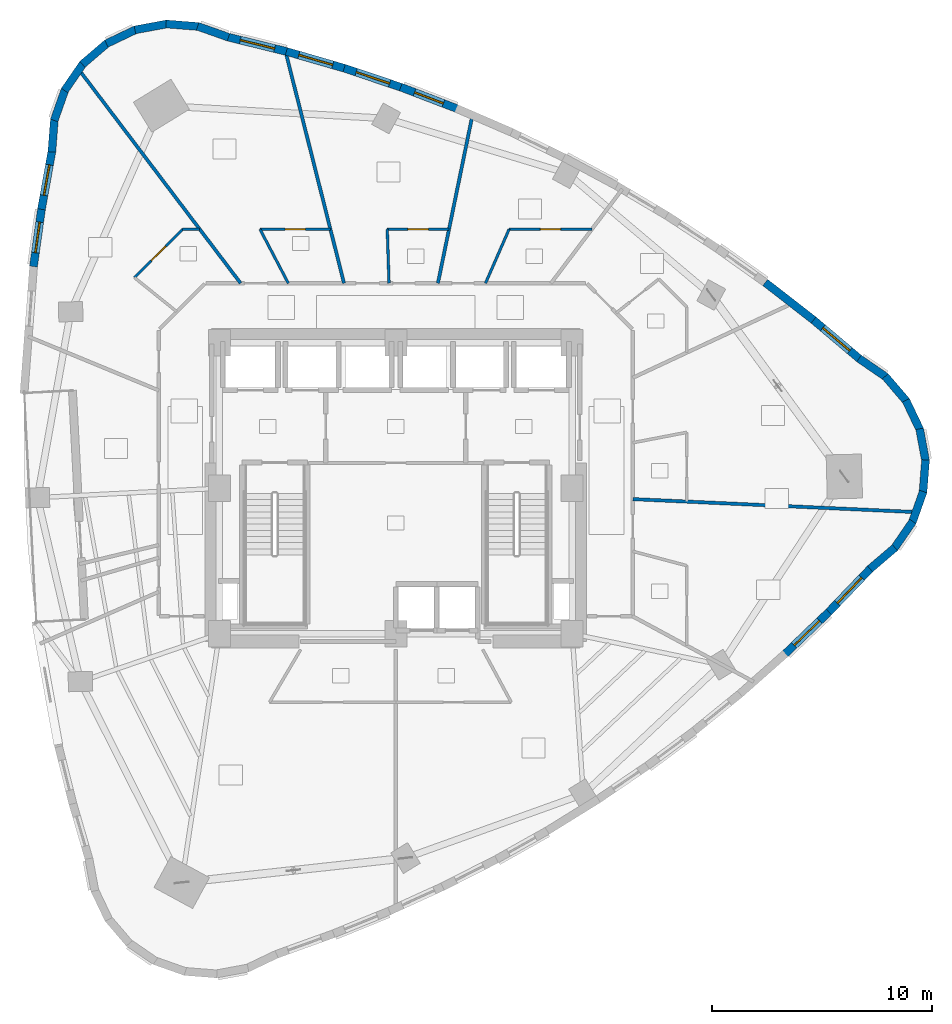
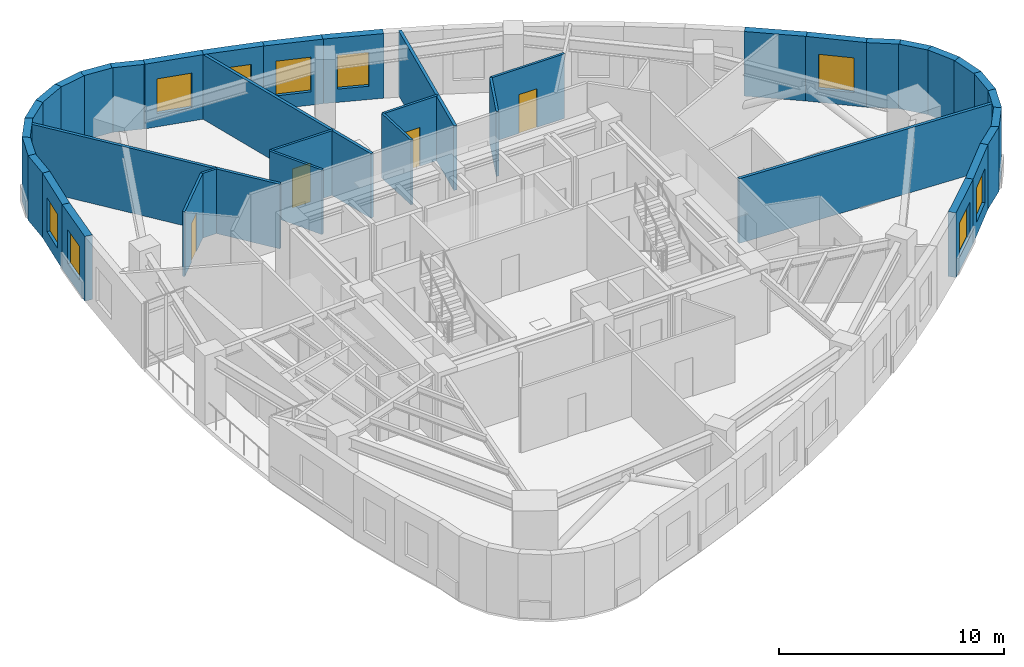
# One storey, part 9 of 13: 38 walls, 9 windows, 4 doors, 13 openings.
"""IFC4 building model written with IfcOpenShell, lengths in metres."""

from ifc_helpers import new_model, si_unit, direction, frame, frame_2d, origin, place, context, subcontext, project, spatial, rectangle, extrude, material, layer, layer_set, type_object, element, fill, save


model = new_model("IFC4")

# Units and contexts
model_context = context("Model", 3, precision=1e-05, world=origin(), true_north=direction((0.0, 1.0)))
body_context = subcontext(model_context, "Body", "Model", "MODEL_VIEW")
ifc_project = project(units=[si_unit("LENGTHUNIT", "METRE"), si_unit("AREAUNIT", "SQUARE_METRE"), si_unit("VOLUMEUNIT", "CUBIC_METRE"), si_unit("PLANEANGLEUNIT", "RADIAN"), si_unit("MASSUNIT", "GRAM", prefix="KILO")], contexts=[model_context])

# Site, building, storey
site_placement = place(None, origin())
site = spatial("IfcSite", under=ifc_project, at=site_placement, CompositionType="ELEMENT")
building_placement = place(site_placement, origin())
building = spatial("IfcBuilding", under=site, at=building_placement, Name="Ndelora Gate Hotel", CompositionType="ELEMENT")
storey_placement = place(building_placement, frame((0.0, 0.0, 134.75)))
storey = spatial("IfcBuildingStorey", under=building, at=storey_placement, Name="L33", CompositionType="ELEMENT", Elevation=134.75)

# Walls
ifc_material_1 = material(Name="Clay Brick Masonry", Category="masonry")
ifc_layer_1 = layer(ifc_material_1, 0.360107421875)
ifc_layer_set_1 = layer_set([ifc_layer_1], Name="Clay Brick Masonry")
wall_type_1 = type_object("IfcWallType", Name="WL-BRICK-360", PredefinedType="SOLIDWALL", material=ifc_layer_set_1)
for number, where, z_axis, x_axis, name in (
    (1, (-8.98876953125, 20.9541015625, 0.0), (0.0, 0.0, 1.0), (0.942671384708, -0.33372243025, 0.0), "L33 Tower Brick Pier-and-Spandrel Wall TWR-1"),
    (2, (-10.42138671875, 21.060546875, 0.0), (0.0, 0.0, 1.0), (0.996910688745, -0.078543482647, 0.0), "L33 Tower Brick Pier-and-Spandrel Wall TWR-2"),
):
    element("IfcWall", number, at=place(storey_placement, frame(where, z_axis=z_axis, x_axis=x_axis)), inside=storey, type_object=wall_type_1, Name=name, PredefinedType="SOLIDWALL", context=body_context, shape_type="SweptSolid", body=[
        extrude(rectangle(XDim=1.48583984375, YDim=0.360107421875, at=frame_2d((0.742919921875, 0.0))), origin(), (0.0, 0.0, 1.0), 3.5),
    ])
wall_1_placement = place(storey_placement, frame((-11.8330078125, 20.792236328125, 0.0), z_axis=(0.0, 0.0, 1.0), x_axis=(0.983262389335, 0.182195152844, 0.0)))
element("IfcWall", 3, at=wall_1_placement, inside=storey, type_object=wall_type_1, Name="L33 Tower Brick Pier-and-Spandrel Wall TWR-3", PredefinedType="SOLIDWALL", context=body_context, shape_type="SweptSolid", body=[
    extrude(rectangle(XDim=1.486083984375, YDim=0.360107421875, at=frame_2d((0.7431640625, 0.0))), origin(), (0.0, 0.0, 1.0), 3.5),
])
for number, where, z_axis, x_axis, name in (
    (4, (-13.126708984375, 20.16796875, 0.0), (0.0, 0.0, 1.0), (0.902586982789, 0.430507535938, 0.0), "L33 Tower Brick Pier-and-Spandrel Wall TWR-4"),
    (5, (-14.215087890625, 19.22998046875, 0.0), (0.0, 0.0, 1.0), (0.760461582144, 0.649382924078, 0.0), "L33 Tower Brick Pier-and-Spandrel Wall TWR-5"),
):
    element("IfcWall", number, at=place(storey_placement, frame(where, z_axis=z_axis, x_axis=x_axis)), inside=storey, type_object=wall_type_1, Name=name, PredefinedType="SOLIDWALL", context=body_context, shape_type="SweptSolid", body=[
        extrude(rectangle(XDim=1.48583984375, YDim=0.360107421875, at=frame_2d((0.742919921875, 0.0))), origin(), (0.0, 0.0, 1.0), 3.5),
    ])
wall_2_placement = place(storey_placement, frame((-15.0234375, 18.04248046875, 0.0), z_axis=(0.0, 0.0, 1.0), x_axis=(0.566438155808, 0.824104250472, 0.0)))
element("IfcWall", 6, at=wall_2_placement, inside=storey, type_object=wall_type_1, Name="L33 Tower Brick Pier-and-Spandrel Wall TWR-6", PredefinedType="SOLIDWALL", context=body_context, shape_type="SweptSolid", body=[
    extrude(rectangle(XDim=1.485595703125, YDim=0.360107421875, at=frame_2d((0.74267578125, 0.0))), origin(), (0.0, 0.0, 1.0), 3.5),
])
wall_3_placement = place(storey_placement, frame((-15.496826171875, 16.685791015625, 0.0), z_axis=(0.0, 0.0, 1.0), x_axis=(0.333670746008, 0.942689680254, 0.0)))
element("IfcWall", 7, at=wall_3_placement, inside=storey, type_object=wall_type_1, Name="L33 Tower Brick Pier-and-Spandrel Wall TWR-7", PredefinedType="SOLIDWALL", context=body_context, shape_type="SweptSolid", body=[
    extrude(rectangle(XDim=1.486083984375, YDim=0.360107421875, at=frame_2d((0.7431640625, 0.0))), origin(), (0.0, 0.0, 1.0), 3.5),
])
wall_4_placement = place(storey_placement, frame((-15.60302734375, 15.25341796875, 0.0), z_axis=(0.0, 0.0, 1.0), x_axis=(0.078393018091, 0.996922531952, 0.0)))
element("IfcWall", 8, at=wall_4_placement, inside=storey, type_object=wall_type_1, Name="L33 Tower Brick Pier-and-Spandrel Wall TWR-8", PredefinedType="SOLIDWALL", context=body_context, shape_type="SweptSolid", body=[
    extrude(rectangle(XDim=1.485595703125, YDim=0.360107421875, at=frame_2d((0.74267578125, 0.0))), origin(), (0.0, 0.0, 1.0), 3.5),
])

# Wall, opening, window
wall_5_placement = place(storey_placement, frame((-16.073486328125, 12.65380859375, 0.0), z_axis=(0.0, 0.0, 1.0), x_axis=(0.177152998315, 0.984183323974, 0.0)))
wall_5 = element("IfcWall", 9, at=wall_5_placement, inside=storey, type_object=wall_type_1, Name="L33 Tower Brick Pier-and-Spandrel Wall TWR-9", PredefinedType="SOLIDWALL", context=body_context, shape_type="SweptSolid", body=[
    extrude(rectangle(XDim=2.69140625, YDim=0.360107421875, at=frame_2d((1.345703125, 0.0))), origin(), (0.0, 0.0, 1.0), 3.5),
])
opening_1_placement = place(wall_5_placement, frame((0.64599609375, 0.0, 0.719970703125)))
opening_1 = element("IfcOpeningElement", 10, at=opening_1_placement, cuts=wall_5, Name="Opening W02", PredefinedType="OPENING", context=body_context, shape_type="SweptSolid", body=[
    extrude(rectangle(XDim=1.39990234375, YDim=1.840087890625, at=frame_2d((0.699951171875, 0.919921875))), frame((0.0, 0.18994140625, 0.0), z_axis=(0.0, -1.0, 0.0), x_axis=(1.0, 0.0, 0.0)), (0.0, 0.0, 1.0), 0.380126953125),
])
ifc_material_2 = material(Name="Insulated Low-E Double Glazing in Bronze Aluminium Frame", Category="aluminium")
window_type_1 = type_object("IfcWindowType", Name="WN-DEEP-1400", PartitioningType="SINGLE_PANEL", PredefinedType="WINDOW", material=ifc_material_2)
window_1_placement = place(opening_1_placement, origin())
window_1 = element("IfcWindow", 11, at=window_1_placement, inside=storey, type_object=window_type_1, Name="L33 Deep-Set Brick-Pier Window W02", OverallHeight=1.840087890625, OverallWidth=1.39990234375, PartitioningType="SINGLE_PANEL", PredefinedType="WINDOW", context=body_context, shape_type="SweptSolid", body=[
    extrude(rectangle(XDim=1.39990234375, YDim=1.840087890625, at=frame_2d((0.699951171875, 0.919921875))), frame((0.0, 0.030029296875, 0.0), z_axis=(0.0, -1.0, 0.0), x_axis=(1.0, 0.0, 0.0)), (0.0, 0.0, 1.0), 0.06005859375),
])
fill(opening_1, window_1)

wall_6_placement = place(storey_placement, frame((-16.43603515625, 10.05908203125, 0.0), z_axis=(0.0, 0.0, 1.0), x_axis=(0.138719592598, 0.990331699296, 0.0)))
wall_6 = element("IfcWall", 12, at=wall_6_placement, inside=storey, type_object=wall_type_1, Name="L33 Tower Brick Pier-and-Spandrel Wall TWR-10", PredefinedType="SOLIDWALL", context=body_context, shape_type="SweptSolid", body=[
    extrude(rectangle(XDim=2.669921875, YDim=0.360107421875, at=frame_2d((1.3349609375, 0.0))), origin(), (0.0, 0.0, 1.0), 3.5),
])
opening_2_placement = place(wall_6_placement, frame((0.635009765625, 0.0, 0.719970703125)))
opening_2 = element("IfcOpeningElement", 13, at=opening_2_placement, cuts=wall_6, Name="Opening W02", PredefinedType="OPENING", context=body_context, shape_type="SweptSolid", body=[
    extrude(rectangle(XDim=1.39990234375, YDim=1.840087890625, at=frame_2d((0.699951171875, 0.919921875))), frame((0.0, 0.18994140625, 0.0), z_axis=(0.0, -1.0, 0.0), x_axis=(1.0, 0.0, 0.0)), (0.0, 0.0, 1.0), 0.380126953125),
])
window_2_placement = place(opening_2_placement, origin())
window_2 = element("IfcWindow", 14, at=window_2_placement, inside=storey, type_object=window_type_1, Name="L33 Deep-Set Brick-Pier Window W02", OverallHeight=1.840087890625, OverallWidth=1.39990234375, PartitioningType="SINGLE_PANEL", PredefinedType="WINDOW", context=body_context, shape_type="SweptSolid", body=[
    extrude(rectangle(XDim=1.39990234375, YDim=1.840087890625, at=frame_2d((0.699951171875, 0.919921875))), frame((0.0, 0.030029296875, 0.0), z_axis=(0.0, -1.0, 0.0), x_axis=(1.0, 0.0, 0.0)), (0.0, 0.0, 1.0), 0.06005859375),
])
fill(opening_2, window_2)

wall_7_placement = place(storey_placement, frame((19.642822265625, -5.6083984375, 0.0), z_axis=(0.0, 0.0, 1.0), x_axis=(-0.721375025509, -0.692544635797, 0.0)))
wall_7 = element("IfcWall", 15, at=wall_7_placement, inside=storey, type_object=wall_type_1, Name="L33 Tower Brick Pier-and-Spandrel Wall TWR-37", PredefinedType="SOLIDWALL", context=body_context, shape_type="SweptSolid", body=[
    extrude(rectangle(XDim=2.777587890625, YDim=0.360107421875, at=frame_2d((1.388671875, 0.0))), origin(), (0.0, 0.0, 1.0), 3.5),
])
opening_3_placement = place(wall_7_placement, frame((0.5888671875, 0.0, 0.719970703125)))
opening_3 = element("IfcOpeningElement", 16, at=opening_3_placement, cuts=wall_7, Name="Opening W03", PredefinedType="OPENING", context=body_context, shape_type="SweptSolid", body=[
    extrude(rectangle(XDim=1.60009765625, YDim=1.8798828125, at=frame_2d((0.800048828125, 0.93994140625))), frame((0.0, 0.18994140625, 0.0), z_axis=(0.0, -1.0, 0.0), x_axis=(1.0, 0.0, 0.0)), (0.0, 0.0, 1.0), 0.380126953125),
])
window_type_2 = type_object("IfcWindowType", Name="WN-CORN-2100", PartitioningType="SINGLE_PANEL", PredefinedType="WINDOW", material=ifc_material_2)
window_3_placement = place(opening_3_placement, origin())
window_3 = element("IfcWindow", 17, at=window_3_placement, inside=storey, type_object=window_type_2, Name="L33 Deep-Set Brick-Pier Window W03", OverallHeight=1.8798828125, OverallWidth=1.60009765625, PartitioningType="SINGLE_PANEL", PredefinedType="WINDOW", context=body_context, shape_type="SweptSolid", body=[
    extrude(rectangle(XDim=1.60009765625, YDim=1.8798828125, at=frame_2d((0.800048828125, 0.93994140625))), frame((0.0, 0.030029296875, 0.0), z_axis=(0.0, -1.0, 0.0), x_axis=(1.0, 0.0, 0.0)), (0.0, 0.0, 1.0), 0.06005859375),
])
fill(opening_3, window_3)

wall_8_placement = place(storey_placement, frame((21.547607421875, -3.623291015625, 0.0), z_axis=(0.0, 0.0, 1.0), x_axis=(-0.692624348053, -0.72129849056, 0.0)))
wall_8 = element("IfcWall", 18, at=wall_8_placement, inside=storey, type_object=wall_type_1, Name="L33 Tower Brick Pier-and-Spandrel Wall TWR-38", PredefinedType="SOLIDWALL", context=body_context, shape_type="SweptSolid", body=[
    extrude(rectangle(XDim=2.80126953125, YDim=0.360107421875, at=frame_2d((1.400634765625, 0.0))), origin(), (0.0, 0.0, 1.0), 3.5),
])
opening_4_placement = place(wall_8_placement, frame((0.6005859375, 0.0, 0.719970703125)))
opening_4 = element("IfcOpeningElement", 19, at=opening_4_placement, cuts=wall_8, Name="Opening W01", PredefinedType="OPENING", context=body_context, shape_type="SweptSolid", body=[
    extrude(rectangle(XDim=1.60009765625, YDim=1.8798828125, at=frame_2d((0.800048828125, 0.93994140625))), frame((0.0, 0.18994140625, 0.0), z_axis=(0.0, -1.0, 0.0), x_axis=(1.0, 0.0, 0.0)), (0.0, 0.0, 1.0), 0.380126953125),
])
window_type_3 = type_object("IfcWindowType", Name="WN-DEEP-1600", PartitioningType="SINGLE_PANEL", PredefinedType="WINDOW", material=ifc_material_2)
window_4_placement = place(opening_4_placement, origin())
window_4 = element("IfcWindow", 20, at=window_4_placement, inside=storey, type_object=window_type_3, Name="L33 Deep-Set Brick-Pier Window W01", OverallHeight=1.8798828125, OverallWidth=1.60009765625, PartitioningType="SINGLE_PANEL", PredefinedType="WINDOW", context=body_context, shape_type="SweptSolid", body=[
    extrude(rectangle(XDim=1.60009765625, YDim=1.8798828125, at=frame_2d((0.800048828125, 0.93994140625))), frame((0.0, 0.030029296875, 0.0), z_axis=(0.0, -1.0, 0.0), x_axis=(1.0, 0.0, 0.0)), (0.0, 0.0, 1.0), 0.06005859375),
])
fill(opening_4, window_4)

# Walls
wall_9_placement = place(storey_placement, frame((22.64111328125, -2.692626953125, 0.0), z_axis=(0.0, 0.0, 1.0), x_axis=(-0.760392276745, -0.649464075578, 0.0)))
element("IfcWall", 21, at=wall_9_placement, inside=storey, type_object=wall_type_1, Name="L33 Tower Brick Pier-and-Spandrel Wall TWR-39", PredefinedType="SOLIDWALL", context=body_context, shape_type="SweptSolid", body=[
    extrude(rectangle(XDim=1.485595703125, YDim=0.360107421875, at=frame_2d((0.74267578125, 0.0))), origin(), (0.0, 0.0, 1.0), 3.5),
])
for number, where, z_axis, x_axis, name in (
    (22, (23.44970703125, -1.5048828125, 0.0), (0.0, 0.0, 1.0), (-0.56647304132, -0.824080271247, 0.0), "L33 Tower Brick Pier-and-Spandrel Wall TWR-40"),
    (23, (23.923095703125, -0.1484375, 0.0), (0.0, 0.0, 1.0), (-0.333816731602, -0.942637995045, 0.0), "L33 Tower Brick Pier-and-Spandrel Wall TWR-41"),
):
    element("IfcWall", number, at=place(storey_placement, frame(where, z_axis=z_axis, x_axis=x_axis)), inside=storey, type_object=wall_type_1, Name=name, PredefinedType="SOLIDWALL", context=body_context, shape_type="SweptSolid", body=[
        extrude(rectangle(XDim=1.486083984375, YDim=0.360107421875, at=frame_2d((0.7431640625, 0.0))), origin(), (0.0, 0.0, 1.0), 3.5),
    ])
for number, where, z_axis, x_axis, name in (
    (24, (24.029296875, 1.2841796875, 0.0), (0.0, 0.0, 1.0), (-0.078543482647, -0.996910688745, 0.0), "L33 Tower Brick Pier-and-Spandrel Wall TWR-42"),
    (25, (23.760986328125, 2.695556640625, 0.0), (0.0, 0.0, 1.0), (0.18238343996, -0.98322748173, 0.0), "L33 Tower Brick Pier-and-Spandrel Wall TWR-43"),
    (26, (23.13671875, 3.989501953125, 0.0), (0.0, 0.0, 1.0), (0.430641383823, -0.902523129088, 0.0), "L33 Tower Brick Pier-and-Spandrel Wall TWR-44"),
):
    element("IfcWall", number, at=place(storey_placement, frame(where, z_axis=z_axis, x_axis=x_axis)), inside=storey, type_object=wall_type_1, Name=name, PredefinedType="SOLIDWALL", context=body_context, shape_type="SweptSolid", body=[
        extrude(rectangle(XDim=1.48583984375, YDim=0.360107421875, at=frame_2d((0.742919921875, 0.0))), origin(), (0.0, 0.0, 1.0), 3.5),
    ])
for number, where, z_axis, x_axis, name in (
    (27, (22.198974609375, 5.07763671875, 0.0), (0.0, 0.0, 1.0), (0.649464075578, -0.760392276745, 0.0), "L33 Tower Brick Pier-and-Spandrel Wall TWR-45"),
    (28, (21.01123046875, 5.885986328125, 0.0), (0.0, 0.0, 1.0), (0.824104250472, -0.566438155808, 0.0), "L33 Tower Brick Pier-and-Spandrel Wall TWR-46"),
):
    element("IfcWall", number, at=place(storey_placement, frame(where, z_axis=z_axis, x_axis=x_axis)), inside=storey, type_object=wall_type_1, Name=name, PredefinedType="SOLIDWALL", context=body_context, shape_type="SweptSolid", body=[
        extrude(rectangle(XDim=1.485595703125, YDim=0.360107421875, at=frame_2d((0.74267578125, 0.0))), origin(), (0.0, 0.0, 1.0), 3.5),
    ])

# Wall, opening, window
wall_10_placement = place(storey_placement, frame((18.91015625, 7.662353515625, 0.0), z_axis=(0.0, 0.0, 1.0), x_axis=(0.764205561234, -0.644972759253, 0.0)))
wall_10 = element("IfcWall", 29, at=wall_10_placement, inside=storey, type_object=wall_type_1, Name="L33 Tower Brick Pier-and-Spandrel Wall TWR-47", PredefinedType="SOLIDWALL", context=body_context, shape_type="SweptSolid", body=[
    extrude(rectangle(XDim=2.801025390625, YDim=0.360107421875, at=frame_2d((1.400390625, 0.0))), origin(), (0.0, 0.0, 1.0), 3.5),
])
opening_5_placement = place(wall_10_placement, frame((0.6005859375, 0.0, 0.719970703125)))
opening_5 = element("IfcOpeningElement", 30, at=opening_5_placement, cuts=wall_10, Name="Opening W01", PredefinedType="OPENING", context=body_context, shape_type="SweptSolid", body=[
    extrude(rectangle(XDim=1.60009765625, YDim=1.8798828125, at=frame_2d((0.800048828125, 0.93994140625))), frame((0.0, 0.18994140625, 0.0), z_axis=(0.0, -1.0, 0.0), x_axis=(1.0, 0.0, 0.0)), (0.0, 0.0, 1.0), 0.380126953125),
])
window_5_placement = place(opening_5_placement, origin())
window_5 = element("IfcWindow", 31, at=window_5_placement, inside=storey, type_object=window_type_3, Name="L33 Deep-Set Brick-Pier Window W01", OverallHeight=1.8798828125, OverallWidth=1.60009765625, PartitioningType="SINGLE_PANEL", PredefinedType="WINDOW", context=body_context, shape_type="SweptSolid", body=[
    extrude(rectangle(XDim=1.60009765625, YDim=1.8798828125, at=frame_2d((0.800048828125, 0.93994140625))), frame((0.0, 0.030029296875, 0.0), z_axis=(0.0, -1.0, 0.0), x_axis=(1.0, 0.0, 0.0)), (0.0, 0.0, 1.0), 0.06005859375),
])
fill(opening_5, window_5)

# Wall
wall_11_placement = place(storey_placement, frame((16.75537109375, 9.33447265625, 0.0), z_axis=(0.0, 0.0, 1.0), x_axis=(0.789792196605, -0.61337450728, 0.0)))
element("IfcWall", 32, at=wall_11_placement, inside=storey, type_object=wall_type_1, Name="L33 Tower Brick Pier-and-Spandrel Wall TWR-48", PredefinedType="SOLIDWALL", context=body_context, shape_type="SweptSolid", body=[
    extrude(rectangle(XDim=2.77734375, YDim=0.360107421875, at=frame_2d((1.388671875, 0.0))), origin(), (0.0, 0.0, 1.0), 3.5),
])

# Wall, opening, window
wall_12_placement = place(storey_placement, frame((0.223876953125, 18.19677734375, 0.0), z_axis=(0.0, 0.0, 1.0), x_axis=(0.933979359079, -0.357326960661, 0.0)))
wall_12 = element("IfcWall", 33, at=wall_12_placement, inside=storey, type_object=wall_type_1, Name="L33 Tower Brick Pier-and-Spandrel Wall TWR-55", PredefinedType="SOLIDWALL", context=body_context, shape_type="SweptSolid", body=[
    extrude(rectangle(XDim=2.743896484375, YDim=0.360107421875, at=frame_2d((1.3720703125, 0.0))), origin(), (0.0, 0.0, 1.0), 3.5),
])
opening_6_placement = place(wall_12_placement, frame((0.672119140625, 0.0, 0.719970703125)))
opening_6 = element("IfcOpeningElement", 34, at=opening_6_placement, cuts=wall_12, Name="Opening W02", PredefinedType="OPENING", context=body_context, shape_type="SweptSolid", body=[
    extrude(rectangle(XDim=1.39990234375, YDim=1.840087890625, at=frame_2d((0.699951171875, 0.919921875))), frame((0.0, 0.18994140625, 0.0), z_axis=(0.0, -1.0, 0.0), x_axis=(1.0, 0.0, 0.0)), (0.0, 0.0, 1.0), 0.380126953125),
])
window_6_placement = place(opening_6_placement, origin())
window_6 = element("IfcWindow", 35, at=window_6_placement, inside=storey, type_object=window_type_1, Name="L33 Deep-Set Brick-Pier Window W02", OverallHeight=1.840087890625, OverallWidth=1.39990234375, PartitioningType="SINGLE_PANEL", PredefinedType="WINDOW", context=body_context, shape_type="SweptSolid", body=[
    extrude(rectangle(XDim=1.39990234375, YDim=1.840087890625, at=frame_2d((0.699951171875, 0.919921875))), frame((0.0, 0.030029296875, 0.0), z_axis=(0.0, -1.0, 0.0), x_axis=(1.0, 0.0, 0.0)), (0.0, 0.0, 1.0), 0.06005859375),
])
fill(opening_6, window_6)

wall_13_placement = place(storey_placement, frame((-2.344482421875, 19.056884765625, 0.0), z_axis=(0.0, 0.0, 1.0), x_axis=(0.948124259455, -0.317899966393, 0.0)))
wall_13 = element("IfcWall", 36, at=wall_13_placement, inside=storey, type_object=wall_type_1, Name="L33 Tower Brick Pier-and-Spandrel Wall TWR-56", PredefinedType="SOLIDWALL", context=body_context, shape_type="SweptSolid", body=[
    extrude(rectangle(XDim=2.758544921875, YDim=0.360107421875, at=frame_2d((1.37939453125, 0.0))), origin(), (0.0, 0.0, 1.0), 3.5),
])
opening_7_placement = place(wall_13_placement, frame((0.579345703125, 0.0, 0.719970703125)))
opening_7 = element("IfcOpeningElement", 37, at=opening_7_placement, cuts=wall_13, Name="Opening W01", PredefinedType="OPENING", context=body_context, shape_type="SweptSolid", body=[
    extrude(rectangle(XDim=1.60009765625, YDim=1.8798828125, at=frame_2d((0.800048828125, 0.93994140625))), frame((0.0, 0.18994140625, 0.0), z_axis=(0.0, -1.0, 0.0), x_axis=(1.0, 0.0, 0.0)), (0.0, 0.0, 1.0), 0.380126953125),
])
window_7_placement = place(opening_7_placement, origin())
window_7 = element("IfcWindow", 38, at=window_7_placement, inside=storey, type_object=window_type_3, Name="L33 Deep-Set Brick-Pier Window W01", OverallHeight=1.8798828125, OverallWidth=1.60009765625, PartitioningType="SINGLE_PANEL", PredefinedType="WINDOW", context=body_context, shape_type="SweptSolid", body=[
    extrude(rectangle(XDim=1.60009765625, YDim=1.8798828125, at=frame_2d((0.800048828125, 0.93994140625))), frame((0.0, 0.030029296875, 0.0), z_axis=(0.0, -1.0, 0.0), x_axis=(1.0, 0.0, 0.0)), (0.0, 0.0, 1.0), 0.06005859375),
])
fill(opening_7, window_7)

wall_14_placement = place(storey_placement, frame((-4.96435546875, 19.8154296875, 0.0), z_axis=(0.0, 0.0, 1.0), x_axis=(0.960441835692, -0.278480664056, 0.0)))
wall_14 = element("IfcWall", 39, at=wall_14_placement, inside=storey, type_object=wall_type_1, Name="L33 Tower Brick Pier-and-Spandrel Wall TWR-57", PredefinedType="SOLIDWALL", context=body_context, shape_type="SweptSolid", body=[
    extrude(rectangle(XDim=2.77734375, YDim=0.360107421875, at=frame_2d((1.388671875, 0.0))), origin(), (0.0, 0.0, 1.0), 3.5),
])
opening_8_placement = place(wall_14_placement, frame((0.588623046875, 0.0, 0.719970703125)))
opening_8 = element("IfcOpeningElement", 40, at=opening_8_placement, cuts=wall_14, Name="Opening W03", PredefinedType="OPENING", context=body_context, shape_type="SweptSolid", body=[
    extrude(rectangle(XDim=1.60009765625, YDim=1.8798828125, at=frame_2d((0.800048828125, 0.93994140625))), frame((0.0, 0.18994140625, 0.0), z_axis=(0.0, -1.0, 0.0), x_axis=(1.0, 0.0, 0.0)), (0.0, 0.0, 1.0), 0.380126953125),
])
window_8_placement = place(opening_8_placement, origin())
window_8 = element("IfcWindow", 41, at=window_8_placement, inside=storey, type_object=window_type_2, Name="L33 Deep-Set Brick-Pier Window W03", OverallHeight=1.8798828125, OverallWidth=1.60009765625, PartitioningType="SINGLE_PANEL", PredefinedType="WINDOW", context=body_context, shape_type="SweptSolid", body=[
    extrude(rectangle(XDim=1.60009765625, YDim=1.8798828125, at=frame_2d((0.800048828125, 0.93994140625))), frame((0.0, 0.030029296875, 0.0), z_axis=(0.0, -1.0, 0.0), x_axis=(1.0, 0.0, 0.0)), (0.0, 0.0, 1.0), 0.06005859375),
])
fill(opening_8, window_8)

wall_15_placement = place(storey_placement, frame((-7.635986328125, 20.472412109375, 0.0), z_axis=(0.0, 0.0, 1.0), x_axis=(0.970982505779, -0.239150524716, 0.0)))
wall_15 = element("IfcWall", 42, at=wall_15_placement, inside=storey, type_object=wall_type_1, Name="L33 Tower Brick Pier-and-Spandrel Wall TWR-58", PredefinedType="SOLIDWALL", context=body_context, shape_type="SweptSolid", body=[
    extrude(rectangle(XDim=2.80126953125, YDim=0.360107421875, at=frame_2d((1.400634765625, 0.0))), origin(), (0.0, 0.0, 1.0), 3.5),
])
opening_9_placement = place(wall_15_placement, frame((0.6005859375, 0.0, 0.719970703125)))
opening_9 = element("IfcOpeningElement", 43, at=opening_9_placement, cuts=wall_15, Name="Opening W01", PredefinedType="OPENING", context=body_context, shape_type="SweptSolid", body=[
    extrude(rectangle(XDim=1.60009765625, YDim=1.8798828125, at=frame_2d((0.800048828125, 0.93994140625))), frame((0.0, 0.18994140625, 0.0), z_axis=(0.0, -1.0, 0.0), x_axis=(1.0, 0.0, 0.0)), (0.0, 0.0, 1.0), 0.380126953125),
])
window_9_placement = place(opening_9_placement, origin())
window_9 = element("IfcWindow", 44, at=window_9_placement, inside=storey, type_object=window_type_3, Name="L33 Deep-Set Brick-Pier Window W01", OverallHeight=1.8798828125, OverallWidth=1.60009765625, PartitioningType="SINGLE_PANEL", PredefinedType="WINDOW", context=body_context, shape_type="SweptSolid", body=[
    extrude(rectangle(XDim=1.60009765625, YDim=1.8798828125, at=frame_2d((0.800048828125, 0.93994140625))), frame((0.0, 0.030029296875, 0.0), z_axis=(0.0, -1.0, 0.0), x_axis=(1.0, 0.0, 0.0)), (0.0, 0.0, 1.0), 0.06005859375),
])
fill(opening_9, window_9)

# Walls
ifc_material_3 = material(Name="Fire-Rated Gypsum Stud Partition", Category="gypsum")
ifc_layer_2 = layer(ifc_material_3, 0.14990234375)
ifc_layer_set_2 = layer_set([ifc_layer_2], Name="Fire-Rated Gypsum Stud Partition")
wall_type_2 = type_object("IfcWallType", Name="WL-PART-150", PredefinedType="PARTITIONING", material=ifc_layer_set_2)
wall_16_placement = place(storey_placement, frame((10.75, -0.4921875, 0.0), z_axis=(0.0, 0.0, 1.0), x_axis=(0.998952227347, -0.045765133883, 0.0)))
element("IfcWall", 45, at=wall_16_placement, inside=storey, type_object=wall_type_2, Name="L33 Interior Wall IW-5", PredefinedType="PARTITIONING", context=body_context, shape_type="SweptSolid", body=[
    extrude(rectangle(XDim=12.8564453125, YDim=0.14990234375, at=frame_2d((6.42822265625, 0.0))), origin(), (0.0, 0.0, 1.0), 3.5),
])
wall_17_placement = place(storey_placement, frame((1.91015625, 9.300048828125, 0.0), z_axis=(0.0, 0.0, 1.0), x_axis=(0.201190538841, 0.97955212576, 0.0)))
element("IfcWall", 46, at=wall_17_placement, inside=storey, type_object=wall_type_2, Name="L33 Interior Wall IW-5", PredefinedType="PARTITIONING", context=body_context, shape_type="SweptSolid", body=[
    extrude(rectangle(XDim=7.777099609375, YDim=0.14990234375, at=frame_2d((3.888671875, 0.0))), origin(), (0.0, 0.0, 1.0), 3.5),
])
wall_18_placement = place(storey_placement, frame((-2.348388671875, 9.300048828125, 0.0), z_axis=(0.0, 0.0, 1.0), x_axis=(-0.244821157428, 0.969568254882, 0.0)))
element("IfcWall", 47, at=wall_18_placement, inside=storey, type_object=wall_type_2, Name="L33 Interior Wall IW-5", PredefinedType="PARTITIONING", context=body_context, shape_type="SweptSolid", body=[
    extrude(rectangle(XDim=10.854736328125, YDim=0.14990234375, at=frame_2d((5.42724609375, 0.0))), origin(), (0.0, 0.0, 1.0), 3.5),
])
wall_19_placement = place(storey_placement, frame((-7.040283203125, 9.300048828125, 0.0), z_axis=(0.0, 0.0, 1.0), x_axis=(-0.603569047372, 0.797310733061, 0.0)))
element("IfcWall", 48, at=wall_19_placement, inside=storey, type_object=wall_type_2, Name="L33 Interior Wall IW-5", PredefinedType="PARTITIONING", context=body_context, shape_type="SweptSolid", body=[
    extrude(rectangle(XDim=12.150146484375, YDim=0.14990234375, at=frame_2d((6.0751953125, 0.0))), origin(), (0.0, 0.0, 1.0), 3.5),
])
ifc_material_4 = material(Name="Moisture-Resistant Bathroom Tile Partition", Category="gypsum")
ifc_layer_3 = layer(ifc_material_4, 0.1201171875)
ifc_layer_set_3 = layer_set([ifc_layer_3], Name="Moisture-Resistant Bathroom Tile Partition")
wall_type_3 = type_object("IfcWallType", Name="WL-WET-120", PredefinedType="PARTITIONING", material=ifc_layer_set_3)
wall_20_placement = place(storey_placement, frame((4.068115234375, 9.300048828125, 0.0), z_axis=(0.0, 0.0, 1.0), x_axis=(0.400794887066, 0.916167811322, 0.0)))
element("IfcWall", 49, at=wall_20_placement, inside=storey, type_object=wall_type_3, Name="L33 Interior Wall IW-7", PredefinedType="PARTITIONING", context=body_context, shape_type="SweptSolid", body=[
    extrude(rectangle(XDim=2.674072265625, YDim=0.1201171875, at=frame_2d((1.3369140625, 0.0))), origin(), (0.0, 0.0, 1.0), 3.5),
])

# Wall, opening, door
wall_21_placement = place(storey_placement, frame((5.139892578125, 11.75, 0.0), z_axis=(0.0, 0.0, 1.0), x_axis=(1.0, 0.0, 0.0)))
wall_21 = element("IfcWall", 50, at=wall_21_placement, inside=storey, type_object=wall_type_3, Name="L33 Interior Wall IW-7", PredefinedType="PARTITIONING", context=body_context, shape_type="SweptSolid", body=[
    extrude(rectangle(XDim=3.755126953125, YDim=0.1201171875, at=frame_2d((1.87744140625, 0.0))), origin(), (0.0, 0.0, 1.0), 3.5),
])
opening_10_placement = place(wall_21_placement, frame((1.41748046875, 0.0, 0.0)))
opening_10 = element("IfcOpeningElement", 51, at=opening_10_placement, cuts=wall_21, Name="Opening D03", PredefinedType="OPENING", context=body_context, shape_type="SweptSolid", body=[
    extrude(rectangle(XDim=0.919921875, YDim=2.10009765625, at=frame_2d((0.4599609375, 1.050048828125))), frame((0.0, 0.070068359375, 0.0), z_axis=(0.0, -1.0, 0.0), x_axis=(1.0, 0.0, 0.0)), (0.0, 0.0, 1.0), 0.14013671875),
])
ifc_material_5 = material(Name="Moisture-Resistant Hardwood En-Suite Door", Category="wood")
door_type = type_object("IfcDoorType", Name="DR-BATH-920", OperationType="SINGLE_SWING_LEFT", PredefinedType="DOOR", material=ifc_material_5)
door_1_placement = place(opening_10_placement, origin())
door_1 = element("IfcDoor", 52, at=door_1_placement, inside=storey, type_object=door_type, Name="L33 En-suite Bathroom 3606 Door", OperationType="SINGLE_SWING_LEFT", OverallHeight=2.10009765625, OverallWidth=0.919921875, PredefinedType="DOOR", context=body_context, shape_type="SweptSolid", body=[
    extrude(rectangle(XDim=0.919921875, YDim=2.10009765625, at=frame_2d((0.4599609375, 1.050048828125))), frame((0.0, 0.02490234375, 0.0), z_axis=(0.0, -1.0, 0.0), x_axis=(1.0, 0.0, 0.0)), (0.0, 0.0, 1.0), 0.050048828125),
])
fill(opening_10, door_1)

# Wall
wall_22_placement = place(storey_placement, frame((-0.3076171875, 9.300048828125, 0.0), z_axis=(0.0, 0.0, 1.0), x_axis=(-0.032966625408, 0.999456453083, 0.0)))
element("IfcWall", 53, at=wall_22_placement, inside=storey, type_object=wall_type_3, Name="L33 Interior Wall IW-7", PredefinedType="PARTITIONING", context=body_context, shape_type="SweptSolid", body=[
    extrude(rectangle(XDim=2.451171875, YDim=0.1201171875, at=frame_2d((1.2255859375, 0.0))), origin(), (0.0, 0.0, 1.0), 3.5),
])

# Wall, opening, door
wall_23_placement = place(storey_placement, frame((-0.388427734375, 11.75, 0.0), z_axis=(0.0, 0.0, 1.0), x_axis=(1.0, 0.0, 0.0)))
wall_23 = element("IfcWall", 54, at=wall_23_placement, inside=storey, type_object=wall_type_3, Name="L33 Interior Wall IW-7", PredefinedType="PARTITIONING", context=body_context, shape_type="SweptSolid", body=[
    extrude(rectangle(XDim=2.8017578125, YDim=0.1201171875, at=frame_2d((1.40087890625, 0.0))), origin(), (0.0, 0.0, 1.0), 3.5),
])
opening_11_placement = place(wall_23_placement, frame((0.94091796875, 0.0, 0.0)))
opening_11 = element("IfcOpeningElement", 55, at=opening_11_placement, cuts=wall_23, Name="Opening D03", PredefinedType="OPENING", context=body_context, shape_type="SweptSolid", body=[
    extrude(rectangle(XDim=0.919921875, YDim=2.10009765625, at=frame_2d((0.4599609375, 1.050048828125))), frame((0.0, 0.070068359375, 0.0), z_axis=(0.0, -1.0, 0.0), x_axis=(1.0, 0.0, 0.0)), (0.0, 0.0, 1.0), 0.14013671875),
])
door_2_placement = place(opening_11_placement, origin())
door_2 = element("IfcDoor", 56, at=door_2_placement, inside=storey, type_object=door_type, Name="L33 En-suite Bathroom 3607 Door", OperationType="SINGLE_SWING_RIGHT", OverallHeight=2.10009765625, OverallWidth=0.919921875, PredefinedType="DOOR", context=body_context, shape_type="SweptSolid", body=[
    extrude(rectangle(XDim=0.919921875, YDim=2.10009765625, at=frame_2d((0.4599609375, 1.050048828125))), frame((0.0, 0.02490234375, 0.0), z_axis=(0.0, -1.0, 0.0), x_axis=(1.0, 0.0, 0.0)), (0.0, 0.0, 1.0), 0.050048828125),
])
fill(opening_11, door_2)

# Wall
wall_24_placement = place(storey_placement, frame((-6.161376953125, 11.75, 0.0), z_axis=(0.0, 0.0, 1.0), x_axis=(0.464392787292, -0.885629346347, 0.0)))
element("IfcWall", 57, at=wall_24_placement, inside=storey, type_object=wall_type_3, Name="L33 Interior Wall IW-7", PredefinedType="PARTITIONING", context=body_context, shape_type="SweptSolid", body=[
    extrude(rectangle(XDim=2.766357421875, YDim=0.1201171875, at=frame_2d((1.38330078125, 0.0))), origin(), (0.0, 0.0, 1.0), 3.5),
])

# Wall, opening, door
wall_25_placement = place(storey_placement, frame((-6.161376953125, 11.75, 0.0), z_axis=(0.0, 0.0, 1.0), x_axis=(1.0, 0.0, 0.0)))
wall_25 = element("IfcWall", 58, at=wall_25_placement, inside=storey, type_object=wall_type_3, Name="L33 Interior Wall IW-7", PredefinedType="PARTITIONING", context=body_context, shape_type="SweptSolid", body=[
    extrude(rectangle(XDim=3.1943359375, YDim=0.1201171875, at=frame_2d((1.59716796875, 0.0))), origin(), (0.0, 0.0, 1.0), 3.5),
])
opening_12_placement = place(wall_25_placement, frame((1.13720703125, 0.0, 0.0)))
opening_12 = element("IfcOpeningElement", 59, at=opening_12_placement, cuts=wall_25, Name="Opening D03", PredefinedType="OPENING", context=body_context, shape_type="SweptSolid", body=[
    extrude(rectangle(XDim=0.919921875, YDim=2.10009765625, at=frame_2d((0.4599609375, 1.050048828125))), frame((0.0, 0.070068359375, 0.0), z_axis=(0.0, -1.0, 0.0), x_axis=(1.0, 0.0, 0.0)), (0.0, 0.0, 1.0), 0.14013671875),
])
door_3_placement = place(opening_12_placement, origin())
door_3 = element("IfcDoor", 60, at=door_3_placement, inside=storey, type_object=door_type, Name="L33 En-suite Bathroom 3608 Door", OperationType="SINGLE_SWING_LEFT", OverallHeight=2.10009765625, OverallWidth=0.919921875, PredefinedType="DOOR", context=body_context, shape_type="SweptSolid", body=[
    extrude(rectangle(XDim=0.919921875, YDim=2.10009765625, at=frame_2d((0.4599609375, 1.050048828125))), frame((0.0, 0.02490234375, 0.0), z_axis=(0.0, -1.0, 0.0), x_axis=(1.0, 0.0, 0.0)), (0.0, 0.0, 1.0), 0.050048828125),
])
fill(opening_12, door_3)

wall_26_placement = place(storey_placement, frame((-11.857421875, 9.5576171875, 0.0), z_axis=(0.0, 0.0, 1.0), x_axis=(0.7071461491, 0.707067411081, 0.0)))
wall_26 = element("IfcWall", 61, at=wall_26_placement, inside=storey, type_object=wall_type_3, Name="L33 Interior Wall IW-7", PredefinedType="PARTITIONING", context=body_context, shape_type="SweptSolid", body=[
    extrude(rectangle(XDim=3.1005859375, YDim=0.1201171875, at=frame_2d((1.55029296875, 0.0))), origin(), (0.0, 0.0, 1.0), 3.5),
])
opening_13_placement = place(wall_26_placement, frame((1.09033203125, 0.0, 0.0)))
opening_13 = element("IfcOpeningElement", 62, at=opening_13_placement, cuts=wall_26, Name="Opening D03", PredefinedType="OPENING", context=body_context, shape_type="SweptSolid", body=[
    extrude(rectangle(XDim=0.919921875, YDim=2.10009765625, at=frame_2d((0.4599609375, 1.050048828125))), frame((0.0, 0.070068359375, 0.0), z_axis=(0.0, -1.0, 0.0), x_axis=(1.0, 0.0, 0.0)), (0.0, 0.0, 1.0), 0.14013671875),
])
door_4_placement = place(opening_13_placement, origin())
door_4 = element("IfcDoor", 63, at=door_4_placement, inside=storey, type_object=door_type, Name="L33 En-suite Bathroom 3609 Door", OperationType="SINGLE_SWING_RIGHT", OverallHeight=2.10009765625, OverallWidth=0.919921875, PredefinedType="DOOR", context=body_context, shape_type="SweptSolid", body=[
    extrude(rectangle(XDim=0.919921875, YDim=2.10009765625, at=frame_2d((0.4599609375, 1.050048828125))), frame((0.0, 0.02490234375, 0.0), z_axis=(0.0, -1.0, 0.0), x_axis=(1.0, 0.0, 0.0)), (0.0, 0.0, 1.0), 0.050048828125),
])
fill(opening_13, door_4)

# Wall
wall_27_placement = place(storey_placement, frame((-8.89501953125, 11.75, 0.0), z_axis=(0.0, 0.0, 1.0), x_axis=(-1.0, 0.0, 0.0)))
element("IfcWall", 64, at=wall_27_placement, inside=storey, type_object=wall_type_3, Name="L33 Interior Wall IW-7", PredefinedType="PARTITIONING", context=body_context, shape_type="SweptSolid", body=[
    extrude(rectangle(XDim=0.769775390625, YDim=0.1201171875, at=frame_2d((0.384765625, 0.0))), origin(), (0.0, 0.0, 1.0), 3.5),
])

save(model, "model.ifc")
